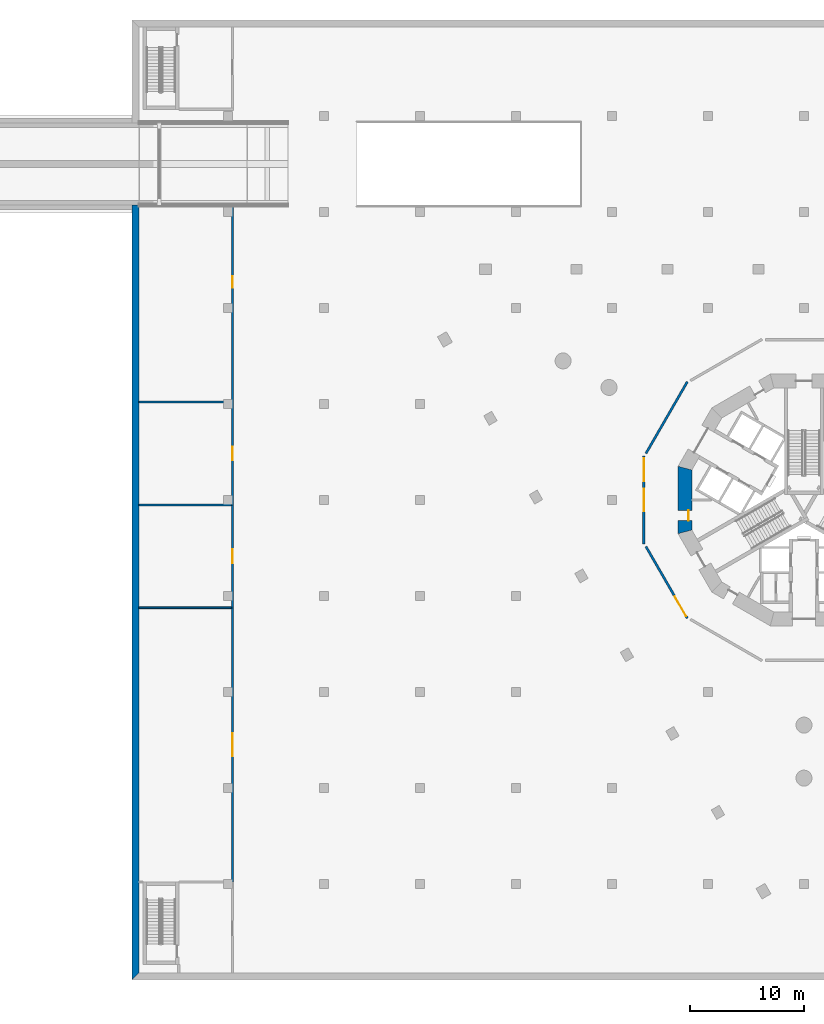
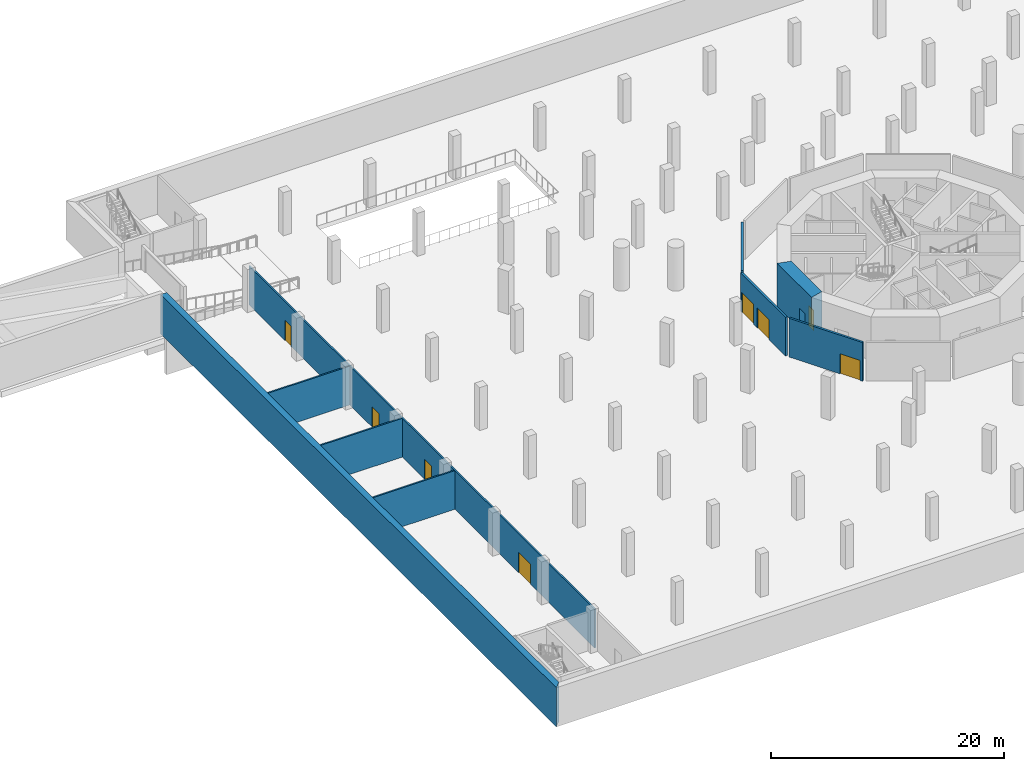
# One storey, part 3 of 21: 9 walls, 8 doors, 8 openings.
"""IFC4 building model written with IfcOpenShell, lengths in metres."""

import ifcopenshell
import ifcopenshell.guid

model = None  # the IFC model being written
_history = None  # IfcOwnerHistory: only IFC2X3 demands one
_inside = {}  # id of a spatial element -> (the spatial element, [elements in it])
_under = {}  # id of a project, library or spatial element -> (it, [spatial elements below it])
_declared = {}  # id of a project -> (the project, [libraries it declares])
_typed = {}  # id of a type object -> (the type object, [elements of that type])
_made_of = {}  # id of a material, layer set ... -> (it, [elements and type objects made of it])


def new_model(schema):
    """Start an empty IFC model of exactly this schema.

    Asked for "IFC4X3", IfcOpenShell would pick the latest addendum, in which some entities
    have other attributes; the version numbers below select the first issue.
    IFC2X3 requires an IfcOwnerHistory on every rooted entity: one is made here for all.
    """
    global model, _history
    if schema == "IFC4X3":
        model = ifcopenshell.file(schema_version=(4, 3, 0, 0))
    else:
        model = ifcopenshell.file(schema=schema)
    _inside.clear()
    _under.clear()
    _declared.clear()
    _typed.clear()
    _made_of.clear()
    _history = None
    if model.schema == "IFC2X3":
        org = make("IfcOrganization", Name="unknown")
        user = make(
            "IfcPersonAndOrganization",
            ThePerson=make("IfcPerson", FamilyName="unknown"),
            TheOrganization=org,
        )
        app = make(
            "IfcApplication",
            ApplicationDeveloper=org,
            Version="unknown",
            ApplicationFullName="unknown",
            ApplicationIdentifier="unknown",
        )
        _history = make(
            "IfcOwnerHistory",
            OwningUser=user,
            OwningApplication=app,
            ChangeAction="ADDED",
            CreationDate=0,
        )
    return model


def make(cls, **values):
    """One entity of the class cls with the attributes given. An attribute that is None is left unset."""
    return model.create_entity(
        cls, **{name: value for name, value in values.items() if value is not None}
    )


def rooted(cls, **values):
    """An entity with a GlobalId (a new one), such as an element, a storey or a relation."""
    return make(cls, GlobalId=ifcopenshell.guid.new(), OwnerHistory=_history, **values)


def si_unit(unit_type, name, prefix=None):
    """IfcSIUnit, for example si_unit("LENGTHUNIT", "METRE", prefix="MILLI")."""
    return make("IfcSIUnit", UnitType=unit_type, Prefix=prefix, Name=name)


def assignment(units):
    """IfcUnitAssignment: the units of a project."""
    return None if units is None else make("IfcUnitAssignment", Units=units)


def point(xyz):
    """IfcCartesianPoint."""
    return None if xyz is None else make("IfcCartesianPoint", Coordinates=xyz)


def direction(xyz):
    """IfcDirection."""
    return None if xyz is None else make("IfcDirection", DirectionRatios=xyz)


def frame(location, z_axis=None, x_axis=None):
    """IfcAxis2Placement3D, a coordinate frame: its origin and axes. An axis left out is left unset."""
    return make(
        "IfcAxis2Placement3D",
        Location=point(location),
        Axis=direction(z_axis),
        RefDirection=direction(x_axis),
    )


def frame_2d(location, x_axis=None):
    """IfcAxis2Placement2D, a coordinate frame in the plane: its origin and x axis."""
    return make(
        "IfcAxis2Placement2D", Location=point(location), RefDirection=direction(x_axis)
    )


def origin():
    """The frame at (0, 0, 0) with its axes left unset."""
    return frame((0.0, 0.0, 0.0))


def place(relative_to, where):
    """IfcLocalPlacement: puts the frame where relative to a parent placement (None: the world)."""
    return make(
        "IfcLocalPlacement", PlacementRelTo=relative_to, RelativePlacement=where
    )


def context(
    kind, dimensions, precision=None, world=None, true_north=None, identifier=None
):
    """IfcGeometricRepresentationContext, for example the 3D "Model" context."""
    return make(
        "IfcGeometricRepresentationContext",
        ContextIdentifier=identifier,
        ContextType=kind,
        CoordinateSpaceDimension=dimensions,
        Precision=precision,
        WorldCoordinateSystem=world,
        TrueNorth=true_north,
    )


def subcontext(parent, identifier, kind, view, scale=None):
    """IfcGeometricRepresentationSubContext, for example "Body" below "Model"."""
    return make(
        "IfcGeometricRepresentationSubContext",
        ContextIdentifier=identifier,
        ContextType=kind,
        ParentContext=parent,
        TargetScale=scale,
        TargetView=view,
    )


def project(units=None, contexts=None):
    """IfcProject with its units and contexts."""
    return rooted(
        "IfcProject",
        Name="project",
        RepresentationContexts=contexts,
        UnitsInContext=assignment(units),
    )


def spatial(cls, under=None, at=None, **own):
    """A site, building, storey or space (cls), placed at a placement, below another one or the project."""
    s = rooted(cls, ObjectPlacement=at, **own)
    if under is not None:
        _under.setdefault(under.id(), (under, []))[1].append(s)
    return s


def polyline(points):
    """IfcPolyline through the points."""
    return make("IfcPolyline", Points=[point(p) for p in points])


def profile(cls, at=None, kind="AREA", **sizes):
    """A parametric profile (cls). Its sizes go by their IFC names, for example OverallWidth=200.0."""
    return make(cls, ProfileType=kind, Position=at, **sizes)


def rectangle(**sizes):
    """IfcRectangleProfileDef."""
    return profile("IfcRectangleProfileDef", **sizes)


def outline(outer, holes=None, kind="AREA"):
    """IfcArbitraryClosedProfileDef: a profile drawn as a closed curve; with holes, ...WithVoids."""
    if holes is None:
        return make("IfcArbitraryClosedProfileDef", ProfileType=kind, OuterCurve=outer)
    return make(
        "IfcArbitraryProfileDefWithVoids",
        ProfileType=kind,
        OuterCurve=outer,
        InnerCurves=holes,
    )


def extrude(swept, where, along, depth):
    """IfcExtrudedAreaSolid: the profile swept, set in the frame where, extruded along a direction by depth."""
    return make(
        "IfcExtrudedAreaSolid",
        SweptArea=swept,
        Position=where,
        ExtrudedDirection=direction(along),
        Depth=depth,
    )


def shape(context_of_items, identifier, shape_type, items):
    """IfcShapeRepresentation: the items that make up one representation, for example the "Body"."""
    return make(
        "IfcShapeRepresentation",
        ContextOfItems=context_of_items,
        RepresentationIdentifier=identifier,
        RepresentationType=shape_type,
        Items=items,
    )


def material(Name=None, Category=None):
    """IfcMaterial."""
    return make("IfcMaterial", Name=Name, Category=Category)


def layer(
    of_material, thickness, ventilated=None, Name=None, Category=None, Priority=None
):
    """IfcMaterialLayer: one layer of a wall or slab, of a material (None: an air gap)."""
    return make(
        "IfcMaterialLayer",
        Material=of_material,
        LayerThickness=thickness,
        IsVentilated=ventilated,
        Name=Name,
        Category=Category,
        Priority=Priority,
    )


def layer_set(layers, Name=None):
    """IfcMaterialLayerSet."""
    return make("IfcMaterialLayerSet", MaterialLayers=layers, LayerSetName=Name)


def made_of(thing, what):
    """Note that an element or type object is made of a material, layer set ...; save() writes the relation."""
    if what is not None:
        _made_of.setdefault(what.id(), (what, []))[1].append(thing)
    return thing


def type_object(cls, material=None, **own):
    """A type object (cls), such as IfcWallType, which elements share."""
    return made_of(rooted(cls, **own), material)


def element(
    cls,
    number,
    at=None,
    inside=None,
    cuts=None,
    type_object=None,
    material=None,
    context=None,
    identifier="Body",
    shape_type=None,
    held_by="IfcProductDefinitionShape",
    body=None,
    shapes=None,
    **own,
):
    """One element of the class cls, such as IfcWall. Its Tag is "e" and its number.

    at: its placement. inside: the storey or other place that contains it. cuts: it is an
    opening in that element (IfcRelVoidsElement). A single representation is given by context,
    identifier, shape_type and body (its items); several are given by shapes. held_by: the class
    of the entity that holds the representations. save() writes the other relations.
    """
    e = rooted(cls, Tag="e%d" % number, ObjectPlacement=at, **own)
    if body is not None:
        shapes = [shape(context, identifier, shape_type, body)]
    if shapes is not None:
        e.Representation = make(held_by, Representations=shapes)
    if inside is not None:
        _inside.setdefault(inside.id(), (inside, []))[1].append(e)
    if cuts is not None:
        rooted(
            "IfcRelVoidsElement", RelatingBuildingElement=cuts, RelatedOpeningElement=e
        )
    if type_object is not None:
        _typed.setdefault(type_object.id(), (type_object, []))[1].append(e)
    return made_of(e, material)


def fill(opening, filler):
    """IfcRelFillsElement: the door or window that sits in an opening."""
    return rooted(
        "IfcRelFillsElement",
        RelatingOpeningElement=opening,
        RelatedBuildingElement=filler,
    )


def aggregate(whole, parts):
    """IfcRelAggregates: a whole, such as a stair, and the parts it consists of."""
    return rooted("IfcRelAggregates", RelatingObject=whole, RelatedObjects=parts)


def save(model, path):
    """Write the relations noted so far, then the file.

    IfcRelAggregates (storeys below a building ...), IfcRelContainedInSpatialStructure (elements
    in a storey), IfcRelDefinesByType, IfcRelAssociatesMaterial and IfcRelDeclares: one each for
    every whole, place, type object, material and project.
    """
    for whole, parts in _under.values():
        aggregate(whole, parts)
    for where, things in _inside.values():
        rooted(
            "IfcRelContainedInSpatialStructure",
            RelatedElements=things,
            RelatingStructure=where,
        )
    for kind, things in _typed.values():
        rooted("IfcRelDefinesByType", RelatedObjects=things, RelatingType=kind)
    for what, things in _made_of.values():
        rooted("IfcRelAssociatesMaterial", RelatedObjects=things, RelatingMaterial=what)
    for by, libraries in _declared.values():
        rooted("IfcRelDeclares", RelatingContext=by, RelatedDefinitions=libraries)
    model.write(path)


model = new_model("IFC4")

# Units and contexts
model_context = context("Model", 3, precision=1e-05, world=origin(), true_north=direction((0.0, 1.0)))
body_context = subcontext(model_context, "Body", "Model", "MODEL_VIEW")
ifc_project = project(units=[si_unit("LENGTHUNIT", "METRE"), si_unit("AREAUNIT", "SQUARE_METRE"), si_unit("VOLUMEUNIT", "CUBIC_METRE"), si_unit("PLANEANGLEUNIT", "RADIAN"), si_unit("MASSUNIT", "GRAM", prefix="KILO")], contexts=[model_context])

# Site, building, storey
site_placement = place(None, origin())
site = spatial("IfcSite", under=ifc_project, at=site_placement, CompositionType="ELEMENT")
building_placement = place(site_placement, origin())
building = spatial("IfcBuilding", under=site, at=building_placement, Name="Trine Commons Tower", CompositionType="ELEMENT")
storey_placement = place(building_placement, frame((0.0, 0.0, -4.5)))
storey = spatial("IfcBuildingStorey", under=building, at=storey_placement, Name="B1", CompositionType="ELEMENT", Elevation=-4.5)

# Walls
ifc_material_1 = material(Name="Plasterboard on steel stud", Category="steel")
ifc_layer_1 = layer(ifc_material_1, 0.14990234375)
ifc_layer_set_1 = layer_set([ifc_layer_1], Name="Plasterboard on steel stud")
wall_type_1 = type_object("IfcWallType", Name="Compartment wall 150 mm, EI 60", PredefinedType="PARTITIONING", material=ifc_layer_set_1)
for number, where, z_axis, x_axis, name in (
    (1, (21.800048828125, 53.070068359375, 0.0), (0.0, 0.0, 1.0), (1.0, 0.0, 0.0), "Partition B1001"),
    (2, (21.800048828125, 62.070068359375, 0.0), (0.0, 0.0, 1.0), (1.0, 0.0, 0.0), "Partition B1002"),
    (3, (21.800048828125, 71.070068359375, 0.0), (0.0, 0.0, 1.0), (1.0, 0.0, 0.0), "Partition B1003"),
):
    element("IfcWall", number, at=place(storey_placement, frame(where, z_axis=z_axis, x_axis=x_axis)), inside=storey, type_object=wall_type_1, Name=name, PredefinedType="PARTITIONING", context=body_context, shape_type="SweptSolid", body=[
        extrude(rectangle(XDim=8.125, YDim=0.14990234375, at=frame_2d((4.0625, 0.0))), origin(), (0.0, 0.0, 1.0), 4.050048828125),
    ])

# Wall, openings, doors
wall_1_placement = place(storey_placement, frame((30.0, 88.300048828125, 0.0), z_axis=(0.0, 0.0, 1.0), x_axis=(0.0, -1.0, 0.0)))
wall_1 = element("IfcWall", 4, at=wall_1_placement, inside=storey, type_object=wall_type_1, Name="Partition B1009", PredefinedType="PARTITIONING", context=body_context, shape_type="SweptSolid", body=[
    extrude(rectangle(XDim=59.230224609375, YDim=0.14990234375, at=frame_2d((29.615234375, 0.0))), origin(), (0.0, 0.0, 1.0), 4.050048828125),
])
opening_1_placement = place(wall_1_placement, frame((46.22998046875, 0.0, 0.0)))
opening_1 = element("IfcOpeningElement", 5, at=opening_1_placement, cuts=wall_1, Name="Opening D-B102", PredefinedType="OPENING", context=body_context, shape_type="SweptSolid", body=[
    extrude(rectangle(XDim=2.0, YDim=2.10009765625, at=frame_2d((1.0, 1.050048828125))), frame((0.0, 0.0849609375, 0.0), z_axis=(0.0, -1.0, 0.0), x_axis=(1.0, 0.0, 0.0)), (0.0, 0.0, 1.0), 0.169921875),
])
opening_2_placement = place(wall_1_placement, frame((30.1298828125, 0.0, 0.0)))
opening_2 = element("IfcOpeningElement", 6, at=opening_2_placement, cuts=wall_1, Name="Opening D-B103", PredefinedType="OPENING", context=body_context, shape_type="SweptSolid", body=[
    extrude(rectangle(XDim=1.199951171875, YDim=2.10009765625, at=frame_2d((0.60009765625, 1.050048828125))), frame((0.0, 0.0849609375, 0.0), z_axis=(0.0, -1.0, 0.0), x_axis=(1.0, 0.0, 0.0)), (0.0, 0.0, 1.0), 0.169921875),
])
opening_3_placement = place(wall_1_placement, frame((21.1298828125, 0.0, 0.0)))
opening_3 = element("IfcOpeningElement", 7, at=opening_3_placement, cuts=wall_1, Name="Opening D-B104", PredefinedType="OPENING", context=body_context, shape_type="SweptSolid", body=[
    extrude(rectangle(XDim=1.199951171875, YDim=2.10009765625, at=frame_2d((0.60009765625, 1.050048828125))), frame((0.0, 0.0849609375, 0.0), z_axis=(0.0, -1.0, 0.0), x_axis=(1.0, 0.0, 0.0)), (0.0, 0.0, 1.0), 0.169921875),
])
opening_4_placement = place(wall_1_placement, frame((6.215087890625, 0.0, 0.0)))
opening_4 = element("IfcOpeningElement", 8, at=opening_4_placement, cuts=wall_1, Name="Opening D-B105", PredefinedType="OPENING", context=body_context, shape_type="SweptSolid", body=[
    extrude(rectangle(XDim=1.0, YDim=2.10009765625, at=frame_2d((0.5, 1.050048828125))), frame((0.0, 0.0849609375, 0.0), z_axis=(0.0, -1.0, 0.0), x_axis=(1.0, 0.0, 0.0)), (0.0, 0.0, 1.0), 0.169921875),
])
ifc_material_2 = material(Name="Timber fire door set", Category="wood")
door_type_1 = type_object("IfcDoorType", Name="Double swing door 2000x2100, FD30S", OperationType="DOUBLE_DOOR_DOUBLE_SWING", PredefinedType="DOOR", material=ifc_material_2)
door_1_placement = place(opening_1_placement, origin())
door_1 = element("IfcDoor", 9, at=door_1_placement, inside=storey, type_object=door_type_1, Name="Door D-B102", OperationType="DOUBLE_DOOR_DOUBLE_SWING", OverallHeight=2.10009765625, OverallWidth=2.0, PredefinedType="DOOR", context=body_context, shape_type="SweptSolid", body=[
    extrude(rectangle(XDim=2.0, YDim=2.10009765625, at=frame_2d((1.0, 1.050048828125))), frame((0.0, 0.02490234375, 0.0), z_axis=(0.0, -1.0, 0.0), x_axis=(1.0, 0.0, 0.0)), (0.0, 0.0, 1.0), 0.050048828125),
])
fill(opening_1, door_1)
door_type_2 = type_object("IfcDoorType", Name="Single swing door 1000x2100, FD30S", OperationType="SINGLE_SWING_LEFT", PredefinedType="DOOR", material=ifc_material_2)
door_2_placement = place(opening_4_placement, origin())
door_2 = element("IfcDoor", 10, at=door_2_placement, inside=storey, type_object=door_type_2, Name="Door D-B105", OperationType="SINGLE_SWING_LEFT", OverallHeight=2.10009765625, OverallWidth=1.0, PredefinedType="DOOR", context=body_context, shape_type="SweptSolid", body=[
    extrude(rectangle(XDim=1.0, YDim=2.10009765625, at=frame_2d((0.5, 1.050048828125))), frame((0.0, 0.02490234375, 0.0), z_axis=(0.0, -1.0, 0.0), x_axis=(1.0, 0.0, 0.0)), (0.0, 0.0, 1.0), 0.050048828125),
])
fill(opening_4, door_2)
door_type_3 = type_object("IfcDoorType", Name="Single swing door 1200x2100, FD30S", OperationType="SINGLE_SWING_LEFT", PredefinedType="DOOR", material=ifc_material_2)
door_3_placement = place(opening_2_placement, origin())
door_3 = element("IfcDoor", 11, at=door_3_placement, inside=storey, type_object=door_type_3, Name="Door D-B103", OperationType="SINGLE_SWING_LEFT", OverallHeight=2.10009765625, OverallWidth=1.199951171875, PredefinedType="DOOR", context=body_context, shape_type="SweptSolid", body=[
    extrude(rectangle(XDim=1.199951171875, YDim=2.10009765625, at=frame_2d((0.60009765625, 1.050048828125))), frame((0.0, 0.02490234375, 0.0), z_axis=(0.0, -1.0, 0.0), x_axis=(1.0, 0.0, 0.0)), (0.0, 0.0, 1.0), 0.050048828125),
])
fill(opening_2, door_3)
door_4_placement = place(opening_3_placement, origin())
door_4 = element("IfcDoor", 12, at=door_4_placement, inside=storey, type_object=door_type_3, Name="Door D-B104", OperationType="SINGLE_SWING_LEFT", OverallHeight=2.10009765625, OverallWidth=1.199951171875, PredefinedType="DOOR", context=body_context, shape_type="SweptSolid", body=[
    extrude(rectangle(XDim=1.199951171875, YDim=2.10009765625, at=frame_2d((0.60009765625, 1.050048828125))), frame((0.0, 0.02490234375, 0.0), z_axis=(0.0, -1.0, 0.0), x_axis=(1.0, 0.0, 0.0)), (0.0, 0.0, 1.0), 0.050048828125),
])
fill(opening_3, door_4)

ifc_layer_2 = layer(ifc_material_1, 0.199951171875)
ifc_layer_set_2 = layer_set([ifc_layer_2], Name="Plasterboard on steel stud")
wall_type_2 = type_object("IfcWallType", Name="Fire wall 200 mm, EI 120", PredefinedType="PARTITIONING", material=ifc_layer_set_2)
wall_2_placement = place(storey_placement, frame((65.988525390625, 58.6455078125, 0.0), z_axis=(0.0, 0.0, 1.0), x_axis=(0.0, 1.0, 0.0)))
wall_2 = element("IfcWall", 13, at=wall_2_placement, inside=storey, type_object=wall_type_2, Name="Partition B1011", PredefinedType="PARTITIONING", context=body_context, shape_type="SweptSolid", body=[
    extrude(rectangle(XDim=7.708984375, YDim=0.199951171875, at=frame_2d((3.8544921875, 0.0))), origin(), (0.0, 0.0, 1.0), 4.050048828125),
])
opening_5_placement = place(wall_2_placement, frame((2.8544921875, 0.0, 0.0)))
opening_5 = element("IfcOpeningElement", 14, at=opening_5_placement, cuts=wall_2, Name="Opening D-B107", PredefinedType="OPENING", context=body_context, shape_type="SweptSolid", body=[
    extrude(rectangle(XDim=2.0, YDim=2.10009765625, at=frame_2d((1.0, 1.050048828125))), frame((0.0, 0.10986328125, 0.0), z_axis=(0.0, -1.0, 0.0), x_axis=(1.0, 0.0, 0.0)), (0.0, 0.0, 1.0), 0.219970703125),
])
opening_6_placement = place(wall_2_placement, frame((5.5087890625, 0.0, 0.0)))
opening_6 = element("IfcOpeningElement", 15, at=opening_6_placement, cuts=wall_2, Name="Opening D-B108", PredefinedType="OPENING", context=body_context, shape_type="SweptSolid", body=[
    extrude(rectangle(XDim=2.0, YDim=2.10009765625, at=frame_2d((1.0, 1.050048828125))), frame((0.0, 0.10986328125, 0.0), z_axis=(0.0, -1.0, 0.0), x_axis=(1.0, 0.0, 0.0)), (0.0, 0.0, 1.0), 0.219970703125),
])
door_type_4 = type_object("IfcDoorType", Name="Double swing door 2000x2100, FD60", OperationType="DOUBLE_DOOR_DOUBLE_SWING", PredefinedType="DOOR", material=ifc_material_2)
door_5_placement = place(opening_5_placement, origin())
door_5 = element("IfcDoor", 16, at=door_5_placement, inside=storey, type_object=door_type_4, Name="Door D-B107", OperationType="DOUBLE_DOOR_DOUBLE_SWING", OverallHeight=2.10009765625, OverallWidth=2.0, PredefinedType="DOOR", context=body_context, shape_type="SweptSolid", body=[
    extrude(rectangle(XDim=2.0, YDim=2.10009765625, at=frame_2d((1.0, 1.050048828125))), frame((0.0, 0.02490234375, 0.0), z_axis=(0.0, -1.0, 0.0), x_axis=(1.0, 0.0, 0.0)), (0.0, 0.0, 1.0), 0.050048828125),
])
fill(opening_5, door_5)
door_6_placement = place(opening_6_placement, origin())
door_6 = element("IfcDoor", 17, at=door_6_placement, inside=storey, type_object=door_type_4, Name="Door D-B108", OperationType="DOUBLE_DOOR_DOUBLE_SWING", OverallHeight=2.10009765625, OverallWidth=2.0, PredefinedType="DOOR", context=body_context, shape_type="SweptSolid", body=[
    extrude(rectangle(XDim=2.0, YDim=2.10009765625, at=frame_2d((1.0, 1.050048828125))), frame((0.0, 0.02490234375, 0.0), z_axis=(0.0, -1.0, 0.0), x_axis=(1.0, 0.0, 0.0)), (0.0, 0.0, 1.0), 0.050048828125),
])
fill(opening_6, door_6)

# Wall, opening, door
wall_3_placement = place(storey_placement, frame((69.792724609375, 52.15625, 0.0), z_axis=(0.0, 0.0, 1.0), x_axis=(-0.499993116331, 0.866029378036, 0.0)))
wall_3 = element("IfcWall", 18, at=wall_3_placement, inside=storey, type_object=wall_type_2, Name="Partition B1012", PredefinedType="PARTITIONING", context=body_context, shape_type="SweptSolid", body=[
    extrude(rectangle(XDim=7.2353515625, YDim=0.199951171875, at=frame_2d((3.61767578125, 0.0))), origin(), (0.0, 0.0, 1.0), 4.050048828125),
])
opening_7_placement = place(wall_3_placement, frame((0.199951171875, 0.0, 0.0)))
opening_7 = element("IfcOpeningElement", 19, at=opening_7_placement, cuts=wall_3, Name="Opening D-B109", PredefinedType="OPENING", context=body_context, shape_type="SweptSolid", body=[
    extrude(rectangle(XDim=2.0, YDim=2.10009765625, at=frame_2d((1.0, 1.050048828125))), frame((0.0, 0.10986328125, 0.0), z_axis=(0.0, -1.0, 0.0), x_axis=(1.0, 0.0, 0.0)), (0.0, 0.0, 1.0), 0.219970703125),
])
door_7_placement = place(opening_7_placement, origin())
door_7 = element("IfcDoor", 20, at=door_7_placement, inside=storey, type_object=door_type_4, Name="Door D-B109", OperationType="DOUBLE_DOOR_DOUBLE_SWING", OverallHeight=2.10009765625, OverallWidth=2.0, PredefinedType="DOOR", context=body_context, shape_type="SweptSolid", body=[
    extrude(rectangle(XDim=2.0, YDim=2.10009765625, at=frame_2d((1.0, 1.050048828125))), frame((0.0, 0.02490234375, 0.0), z_axis=(0.0, -1.0, 0.0), x_axis=(1.0, 0.0, 0.0)), (0.0, 0.0, 1.0), 0.050048828125),
])
fill(opening_7, door_7)

# Walls
wall_4_placement = place(storey_placement, frame((66.175048828125, 66.57763671875, 0.0), z_axis=(0.0, 0.0, 1.0), x_axis=(0.499993116331, 0.866029378036, 0.0)))
element("IfcWall", 21, at=wall_4_placement, inside=storey, type_object=wall_type_2, Name="Partition B1013", PredefinedType="PARTITIONING", context=body_context, shape_type="SweptSolid", body=[
    extrude(rectangle(XDim=7.2353515625, YDim=0.199951171875, at=frame_2d((3.61767578125, 0.0))), origin(), (0.0, 0.0, 1.0), 4.050048828125),
])
ifc_material_3 = material(Name="Concrete C40/50", Category="concrete")
ifc_layer_3 = layer(ifc_material_3, 0.60009765625)
ifc_layer_set_3 = layer_set([ifc_layer_3], Name="Concrete C40/50")
wall_type_3 = type_object("IfcWallType", Name="RC retaining wall 600 mm, C40/50", PredefinedType="SOLIDWALL", material=ifc_layer_set_3)
wall_5_placement = place(storey_placement, frame((21.5, 88.300048828125, 0.0), z_axis=(0.0, 0.0, 1.0), x_axis=(0.0, -1.0, 0.0)))
element("IfcWall", 22, at=wall_5_placement, inside=storey, type_object=wall_type_3, Name="Retaining wall B1 W2", PredefinedType="SOLIDWALL", context=body_context, shape_type="SweptSolid", body=[
    extrude(outline(polyline([(0.0, -0.300048828125), (67.800048828125, -0.300048828125), (67.199951171875, 0.300048828125), (0.0, 0.300048828125), (0.0, -0.300048828125)])), origin(), (0.0, 0.0, 1.0), 4.10009765625),
])

# Wall, opening, door
ifc_material_4 = material(Name="Concrete C80/95", Category="concrete")
ifc_layer_4 = layer(ifc_material_4, 1.199951171875)
ifc_layer_set_4 = layer_set([ifc_layer_4], Name="Concrete C80/95")
wall_type_4 = type_object("IfcWallType", Name="RC shear wall 1200 mm, C80/95", PredefinedType="SHEAR", material=ifc_layer_set_4)
wall_6_placement = place(storey_placement, frame((69.58837890625, 65.450439453125, 0.0), z_axis=(0.0, 0.0, 1.0), x_axis=(0.0, -1.0, 0.0)))
wall_6 = element("IfcWall", 23, at=wall_6_placement, inside=storey, type_object=wall_type_4, Name="Core wall CWA-07 B1", PredefinedType="SHEAR", context=body_context, shape_type="SweptSolid", body=[
    extrude(outline(polyline([(0.0, -0.60009765625), (5.90087890625, -0.60009765625), (5.57958984375, 0.60009765625), (0.321533203125, 0.60009765625), (0.0, -0.60009765625)])), origin(), (0.0, 0.0, 1.0), 4.5),
])
opening_8_placement = place(wall_6_placement, frame((3.8505859375, 0.0, 0.0)))
opening_8 = element("IfcOpeningElement", 24, at=opening_8_placement, cuts=wall_6, Name="Opening K02.14", PredefinedType="OPENING", context=body_context, shape_type="SweptSolid", body=[
    extrude(rectangle(XDim=0.89990234375, YDim=2.10009765625, at=frame_2d((0.449951171875, 1.050048828125))), frame((0.0, 0.60986328125, 0.0), z_axis=(0.0, -1.0, 0.0), x_axis=(1.0, 0.0, 0.0)), (0.0, 0.0, 1.0), 1.219970703125),
])
ifc_material_5 = material(Name="Steel door leaf, fire-rated", Category="steel")
door_type_5 = type_object("IfcDoorType", Name="Core room door, single leaf 900 x 2100, FD30S", OperationType="SINGLE_SWING_LEFT", PredefinedType="DOOR", material=ifc_material_5)
door_8_placement = place(opening_8_placement, origin())
door_8 = element("IfcDoor", 25, at=door_8_placement, inside=storey, type_object=door_type_5, Name="Door to Plant room B1", OperationType="SINGLE_SWING_RIGHT", OverallHeight=2.10009765625, OverallWidth=0.89990234375, PredefinedType="DOOR", context=body_context, shape_type="SweptSolid", body=[
    extrude(rectangle(XDim=0.89990234375, YDim=2.10009765625, at=frame_2d((0.449951171875, 1.050048828125))), frame((0.0, 0.3251953125, 0.0), z_axis=(0.0, -1.0, 0.0), x_axis=(1.0, 0.0, 0.0)), (0.0, 0.0, 1.0), 0.050048828125),
])
fill(opening_8, door_8)

save(model, "model.ifc")
